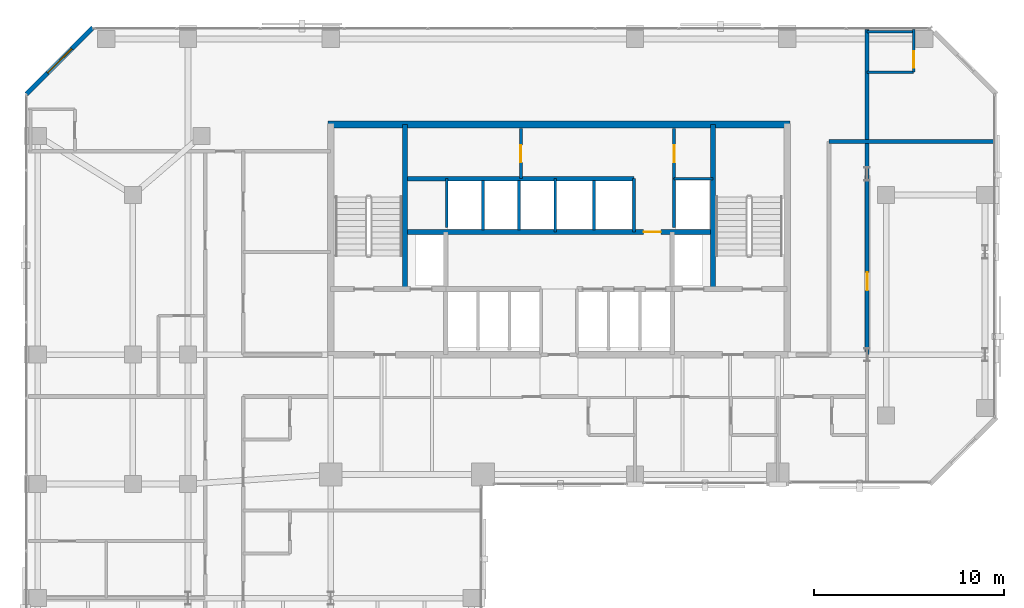
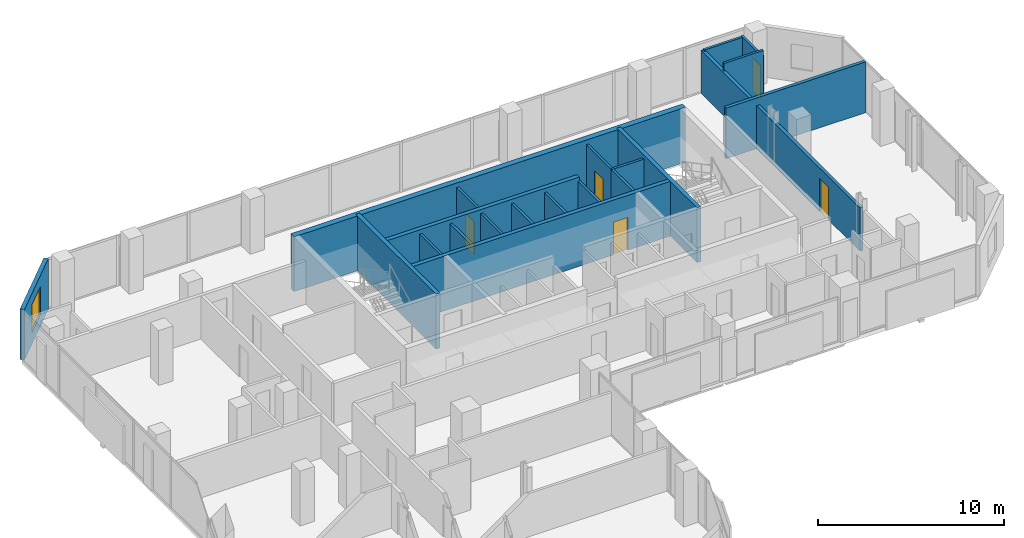
# One storey, part 30 of 35: 21 walls, 5 doors, 1 window, 6 openings.
"""IFC4 building model written with IfcOpenShell, lengths in metres."""

from ifc_helpers import new_model, si_unit, direction, frame, frame_2d, origin, place, context, subcontext, project, spatial, rectangle, extrude, material, layer, layer_set, type_object, element, fill, save


model = new_model("IFC4")

# Units and contexts
model_context = context("Model", 3, precision=1e-05, world=origin(), true_north=direction((0.0, 1.0)))
body_context = subcontext(model_context, "Body", "Model", "MODEL_VIEW")
ifc_project = project(units=[si_unit("LENGTHUNIT", "METRE"), si_unit("AREAUNIT", "SQUARE_METRE"), si_unit("VOLUMEUNIT", "CUBIC_METRE"), si_unit("PLANEANGLEUNIT", "RADIAN"), si_unit("MASSUNIT", "GRAM", prefix="KILO")], contexts=[model_context])

# Site, building, storey
site_placement = place(None, origin())
site = spatial("IfcSite", under=ifc_project, at=site_placement, CompositionType="ELEMENT")
building_placement = place(site_placement, origin())
building = spatial("IfcBuilding", under=site, at=building_placement, Name="Catumbela Crestline Tower", CompositionType="ELEMENT")
storey_placement = place(building_placement, frame((0.0, 0.0, 90.0)))
storey = spatial("IfcBuildingStorey", under=building, at=storey_placement, Name="L22", CompositionType="ELEMENT", Elevation=90.0)

# Walls
ifc_material_1 = material(Name="Concrete C50/60", Category="concrete")
ifc_layer_1 = layer(ifc_material_1, 0.25, Name="Concrete C50/60")
ifc_layer_set_1 = layer_set([ifc_layer_1], Name="Concrete C50/60")
wall_type_1 = type_object("IfcWallType", Name="CW-250D", PredefinedType="SHEAR", material=ifc_layer_set_1)
for number, where, z_axis, x_axis, name in (
    (1, (19.9, 34.25, 0.0), (0.0, 0.0, 1.0), (0.0, 1.0, 0.0), "L22 Structural Core Shear Wall WWEB"),
    (2, (36.1, 34.25, 0.0), (0.0, 0.0, 1.0), (0.0, 1.0, 0.0), "L22 Structural Core Shear Wall EWEB"),
):
    element("IfcWall", number, at=place(storey_placement, frame(where, z_axis=z_axis, x_axis=x_axis)), inside=storey, type_object=wall_type_1, Name=name, PredefinedType="SHEAR", context=body_context, shape_type="SweptSolid", body=[
        extrude(rectangle(XDim=8.65, YDim=0.25, at=frame_2d((4.325, 0.0))), origin(), (0.0, 0.0, 1.0), 3.6),
    ])

# Wall, opening, door
wall_1_placement = place(storey_placement, frame((19.9, 37.25, 0.0), z_axis=(0.0, 0.0, 1.0), x_axis=(1.0, 0.0, 0.0)))
wall_1 = element("IfcWall", 3, at=wall_1_placement, inside=storey, type_object=wall_type_1, Name="L22 Structural Core Shear Wall LIFTN", PredefinedType="SHEAR", context=body_context, shape_type="SweptSolid", body=[
    extrude(rectangle(XDim=16.2, YDim=0.25, at=frame_2d((8.1, 0.0))), origin(), (0.0, 0.0, 1.0), 3.6),
])
opening_1_placement = place(wall_1_placement, frame((12.55, 0.0, 0.0)))
opening_1 = element("IfcOpeningElement", 4, at=opening_1_placement, cuts=wall_1, Name="Opening DF9-090", PredefinedType="OPENING", context=body_context, shape_type="SweptSolid", body=[
    extrude(rectangle(XDim=0.9, YDim=2.15, at=frame_2d((0.45, 1.075))), frame((0.0, 0.135, 0.0), z_axis=(0.0, -1.0, 0.0), x_axis=(1.0, 0.0, 0.0)), (0.0, 0.0, 1.0), 0.27),
])
ifc_material_2 = material(Name="Stainless steel EN 1.4401", Category="steel")
door_type_1 = type_object("IfcDoorType", Name="DF9-090", OperationType="NOTDEFINED", PredefinedType="DOOR", material=ifc_material_2)
door_1_placement = place(opening_1_placement, origin())
door_1 = element("IfcDoor", 5, at=door_1_placement, inside=storey, type_object=door_type_1, Name="L22 Interior Door DR-L22-CPAS1", OperationType="SINGLE_SWING_LEFT", OverallHeight=2.15, OverallWidth=0.9, PredefinedType="DOOR", context=body_context, shape_type="SweptSolid", body=[
    extrude(rectangle(XDim=0.9, YDim=2.15, at=frame_2d((0.45, 1.075))), frame((0.0, 0.025, 0.0), z_axis=(0.0, -1.0, 0.0), x_axis=(1.0, 0.0, 0.0)), (0.0, 0.0, 1.0), 0.05),
])
fill(opening_1, door_1)

# Walls
wall_2_placement = place(storey_placement, frame((19.9, 40.05, 0.0), z_axis=(0.0, 0.0, 1.0), x_axis=(1.0, 0.0, 0.0)))
element("IfcWall", 6, at=wall_2_placement, inside=storey, type_object=wall_type_1, Name="L22 Structural Core Shear Wall COREN", PredefinedType="SHEAR", context=body_context, shape_type="SweptSolid", body=[
    extrude(rectangle(XDim=12.05, YDim=0.25, at=frame_2d((6.025, 0.0))), origin(), (0.0, 0.0, 1.0), 3.6),
])
ifc_layer_2 = layer(ifc_material_1, 0.35, Name="Concrete C50/60")
ifc_layer_set_2 = layer_set([ifc_layer_2], Name="Concrete C50/60")
wall_type_2 = type_object("IfcWallType", Name="CW-350B", PredefinedType="SHEAR", material=ifc_layer_set_2)
wall_3_placement = place(storey_placement, frame((15.85, 42.9, 0.0), z_axis=(0.0, 0.0, 1.0), x_axis=(1.0, 0.0, 0.0)))
element("IfcWall", 7, at=wall_3_placement, inside=storey, type_object=wall_type_2, Name="L22 Structural Core Shear Wall N", PredefinedType="SHEAR", context=body_context, shape_type="SweptSolid", body=[
    extrude(rectangle(XDim=24.3, YDim=0.35, at=frame_2d((12.15, 0.0))), origin(), (0.0, 0.0, 1.0), 3.6),
])
ifc_material_3 = material(Name="Acoustic gypsum and mineral-wool partition")
ifc_layer_3 = layer(ifc_material_3, 0.2, Name="Acoustic gypsum and mineral-wool partition")
ifc_layer_set_3 = layer_set([ifc_layer_3], Name="Acoustic gypsum and mineral-wool partition")
wall_type_3 = type_object("IfcWallType", Name="WC-200", PredefinedType="PARTITIONING", material=ifc_layer_set_3)
wall_4_placement = place(storey_placement, frame((42.2, 42.0, 0.0), z_axis=(0.0, 0.0, 1.0), x_axis=(1.0, 0.0, 0.0)))
element("IfcWall", 8, at=wall_4_placement, inside=storey, type_object=wall_type_3, Name="L22 Interior Partition PW-L22-Z2CW-E3", PredefinedType="PARTITIONING", context=body_context, shape_type="SweptSolid", body=[
    extrude(rectangle(XDim=8.7, YDim=0.2, at=frame_2d((4.35, 0.0))), origin(), (0.0, 0.0, 1.0), 3.33),
])

# Wall, opening, door
wall_5_placement = place(storey_placement, frame((44.2, 30.8, 0.0), z_axis=(0.0, 0.0, 1.0), x_axis=(0.0, 1.0, 0.0)))
wall_5 = element("IfcWall", 9, at=wall_5_placement, inside=storey, type_object=wall_type_3, Name="L22 Interior Partition PW-L22-SE1-ENT", PredefinedType="PARTITIONING", context=body_context, shape_type="SweptSolid", body=[
    extrude(rectangle(XDim=17.1, YDim=0.2, at=frame_2d((8.55, 0.0))), origin(), (0.0, 0.0, 1.0), 2.83),
])
opening_2_placement = place(wall_5_placement, frame((3.3825, 0.0, 0.0)))
opening_2 = element("IfcOpeningElement", 10, at=opening_2_placement, cuts=wall_5, Name="Opening DF6-095", PredefinedType="OPENING", context=body_context, shape_type="SweptSolid", body=[
    extrude(rectangle(XDim=0.95, YDim=2.15, at=frame_2d((0.475, 1.075))), frame((0.0, 0.11, 0.0), z_axis=(0.0, -1.0, 0.0), x_axis=(1.0, 0.0, 0.0)), (0.0, 0.0, 1.0), 0.22),
])
ifc_material_4 = material(Name="Aluminium alloy AW-6060-T66", Category="aluminium")
door_type_2 = type_object("IfcDoorType", Name="DF6-095", OperationType="NOTDEFINED", PredefinedType="DOOR", material=ifc_material_4)
door_2_placement = place(opening_2_placement, origin())
door_2 = element("IfcDoor", 11, at=door_2_placement, inside=storey, type_object=door_type_2, Name="L22 Interior Door DR-L22-SE1-ENT", OperationType="SINGLE_SWING_RIGHT", OverallHeight=2.15, OverallWidth=0.95, PredefinedType="DOOR", context=body_context, shape_type="SweptSolid", body=[
    extrude(rectangle(XDim=0.95, YDim=2.15, at=frame_2d((0.475, 1.075))), frame((0.0, 0.025, 0.0), z_axis=(0.0, -1.0, 0.0), x_axis=(1.0, 0.0, 0.0)), (0.0, 0.0, 1.0), 0.05),
])
fill(opening_2, door_2)

# Wall, opening, window
ifc_material_5 = material(Name="Angolan grey-ochre granite", Category="masonry")
ifc_layer_4 = layer(ifc_material_5, 0.25, Name="Angolan grey-ochre granite")
ifc_layer_set_4 = layer_set([ifc_layer_4], Name="Angolan grey-ochre granite")
wall_type_4 = type_object("IfcWallType", Name="WE-250", PredefinedType="STANDARD", material=ifc_layer_set_4)
wall_6_placement = place(storey_placement, frame((3.5, 48.0, 0.0), z_axis=(0.0, 0.0, 1.0), x_axis=(-0.707106781187, -0.707106781187, 0.0)))
wall_6 = element("IfcWall", 12, at=wall_6_placement, inside=storey, type_object=wall_type_4, Name="L22 Granite Punched Window Wall 8-1", PredefinedType="STANDARD", context=body_context, shape_type="SweptSolid", body=[
    extrude(rectangle(XDim=4.9497, YDim=0.25, at=frame_2d((2.4748, 0.0))), origin(), (0.0, 0.0, 1.0), 3.33),
])
opening_3_placement = place(wall_6_placement, frame((1.5749, 0.0, 0.75)))
opening_3 = element("IfcOpeningElement", 13, at=opening_3_placement, cuts=wall_6, Name="Opening WN-01", PredefinedType="OPENING", context=body_context, shape_type="SweptSolid", body=[
    extrude(rectangle(XDim=1.8, YDim=1.85, at=frame_2d((0.9, 0.925))), frame((0.0, 0.135, 0.0), z_axis=(0.0, -1.0, 0.0), x_axis=(1.0, 0.0, 0.0)), (0.0, 0.0, 1.0), 0.27),
])
ifc_material_6 = material(Name="Low-E laminated solar-control double glazing", Category="glass")
window_type = type_object("IfcWindowType", Name="WF-1800", PartitioningType="SINGLE_PANEL", PredefinedType="WINDOW", material=ifc_material_6)
window_placement = place(opening_3_placement, origin())
window = element("IfcWindow", 14, at=window_placement, inside=storey, type_object=window_type, Name="L22 Facade Vision Window 133", OverallHeight=1.85, OverallWidth=1.8, PartitioningType="SINGLE_PANEL", PredefinedType="WINDOW", context=body_context, shape_type="SweptSolid", body=[
    extrude(rectangle(XDim=1.8, YDim=1.85, at=frame_2d((0.9, 0.925))), frame((0.0, 0.03, 0.0), z_axis=(0.0, -1.0, 0.0), x_axis=(1.0, 0.0, 0.0)), (0.0, 0.0, 1.0), 0.06),
])
fill(opening_3, window)

# Wall
ifc_layer_5 = layer(ifc_material_3, 0.15, Name="Acoustic gypsum and mineral-wool partition")
ifc_layer_set_5 = layer_set([ifc_layer_5], Name="Acoustic gypsum and mineral-wool partition")
wall_type_5 = type_object("IfcWallType", Name="WP-150", PredefinedType="PARTITIONING", material=ifc_layer_set_5)
wall_7_placement = place(storey_placement, frame((34.05, 40.05, 0.0), z_axis=(0.0, 0.0, 1.0), x_axis=(1.0, 0.0, 0.0)))
element("IfcWall", 15, at=wall_7_placement, inside=storey, type_object=wall_type_5, Name="L22 Interior Partition PW-L22-CR-ES", PredefinedType="PARTITIONING", context=body_context, shape_type="SweptSolid", body=[
    extrude(rectangle(XDim=2.05, YDim=0.15, at=frame_2d((1.025, 0.0))), origin(), (0.0, 0.0, 1.0), 3.33),
])

# Wall, opening, door
wall_8_placement = place(storey_placement, frame((34.05, 40.05, 0.0), z_axis=(0.0, 0.0, 1.0), x_axis=(0.0, 1.0, 0.0)))
wall_8 = element("IfcWall", 16, at=wall_8_placement, inside=storey, type_object=wall_type_5, Name="L22 Interior Partition PW-L22-CR-EW", PredefinedType="PARTITIONING", context=body_context, shape_type="SweptSolid", body=[
    extrude(rectangle(XDim=2.63, YDim=0.15, at=frame_2d((1.315, 0.0))), origin(), (0.0, 0.0, 1.0), 3.33),
])
opening_4_placement = place(wall_8_placement, frame((0.865, 0.0, 0.0)))
opening_4 = element("IfcOpeningElement", 17, at=opening_4_placement, cuts=wall_8, Name="Opening DF9-090", PredefinedType="OPENING", context=body_context, shape_type="SweptSolid", body=[
    extrude(rectangle(XDim=0.9, YDim=2.15, at=frame_2d((0.45, 1.075))), frame((0.0, 0.085, 0.0), z_axis=(0.0, -1.0, 0.0), x_axis=(1.0, 0.0, 0.0)), (0.0, 0.0, 1.0), 0.17),
])
door_3_placement = place(opening_4_placement, origin())
door_3 = element("IfcDoor", 18, at=door_3_placement, inside=storey, type_object=door_type_1, Name="L22 Interior Door DR-L22-CREAST", OperationType="SINGLE_SWING_RIGHT", OverallHeight=2.15, OverallWidth=0.9, PredefinedType="DOOR", context=body_context, shape_type="SweptSolid", body=[
    extrude(rectangle(XDim=0.9, YDim=2.15, at=frame_2d((0.45, 1.075))), frame((0.0, 0.025, 0.0), z_axis=(0.0, -1.0, 0.0), x_axis=(1.0, 0.0, 0.0)), (0.0, 0.0, 1.0), 0.05),
])
fill(opening_4, door_3)

wall_9_placement = place(storey_placement, frame((26.0, 40.05, 0.0), z_axis=(0.0, 0.0, 1.0), x_axis=(0.0, 1.0, 0.0)))
wall_9 = element("IfcWall", 19, at=wall_9_placement, inside=storey, type_object=wall_type_5, Name="L22 Interior Partition PW-L22-CR-WW", PredefinedType="PARTITIONING", context=body_context, shape_type="SweptSolid", body=[
    extrude(rectangle(XDim=2.63, YDim=0.15, at=frame_2d((1.315, 0.0))), origin(), (0.0, 0.0, 1.0), 3.33),
])
opening_5_placement = place(wall_9_placement, frame((0.865, 0.0, 0.0)))
opening_5 = element("IfcOpeningElement", 20, at=opening_5_placement, cuts=wall_9, Name="Opening DF9-090", PredefinedType="OPENING", context=body_context, shape_type="SweptSolid", body=[
    extrude(rectangle(XDim=0.9, YDim=2.15, at=frame_2d((0.45, 1.075))), frame((0.0, 0.085, 0.0), z_axis=(0.0, -1.0, 0.0), x_axis=(1.0, 0.0, 0.0)), (0.0, 0.0, 1.0), 0.17),
])
door_4_placement = place(opening_5_placement, origin())
door_4 = element("IfcDoor", 21, at=door_4_placement, inside=storey, type_object=door_type_1, Name="L22 Interior Door DR-L22-CRWEST", OperationType="SINGLE_SWING_LEFT", OverallHeight=2.15, OverallWidth=0.9, PredefinedType="DOOR", context=body_context, shape_type="SweptSolid", body=[
    extrude(rectangle(XDim=0.9, YDim=2.15, at=frame_2d((0.45, 1.075))), frame((0.0, 0.025, 0.0), z_axis=(0.0, -1.0, 0.0), x_axis=(1.0, 0.0, 0.0)), (0.0, 0.0, 1.0), 0.05),
])
fill(opening_5, door_4)

# Wall
wall_10_placement = place(storey_placement, frame((44.2, 45.65, 0.0), z_axis=(0.0, 0.0, 1.0), x_axis=(1.0, 0.0, 0.0)))
element("IfcWall", 22, at=wall_10_placement, inside=storey, type_object=wall_type_5, Name="L22 Interior Partition PW-L22-SE1-BSW", PredefinedType="PARTITIONING", context=body_context, shape_type="SweptSolid", body=[
    extrude(rectangle(XDim=2.45, YDim=0.15, at=frame_2d((1.225, 0.0))), origin(), (0.0, 0.0, 1.0), 3.33),
])

# Wall, opening, door
wall_11_placement = place(storey_placement, frame((46.65, 45.65, 0.0), z_axis=(0.0, 0.0, 1.0), x_axis=(0.0, 1.0, 0.0)))
wall_11 = element("IfcWall", 23, at=wall_11_placement, inside=storey, type_object=wall_type_5, Name="L22 Interior Partition PW-L22-SE1-BEW", PredefinedType="PARTITIONING", context=body_context, shape_type="SweptSolid", body=[
    extrude(rectangle(XDim=2.25, YDim=0.15, at=frame_2d((1.125, 0.0))), origin(), (0.0, 0.0, 1.0), 2.92),
])
opening_6_placement = place(wall_11_placement, frame((0.24, 0.0, 0.0)))
opening_6 = element("IfcOpeningElement", 24, at=opening_6_placement, cuts=wall_11, Name="Opening DI-085", PredefinedType="OPENING", context=body_context, shape_type="SweptSolid", body=[
    extrude(rectangle(XDim=0.85, YDim=2.15, at=frame_2d((0.425, 1.075))), frame((0.0, 0.085, 0.0), z_axis=(0.0, -1.0, 0.0), x_axis=(1.0, 0.0, 0.0)), (0.0, 0.0, 1.0), 0.17),
])
door_type_3 = type_object("IfcDoorType", Name="DI-085", OperationType="NOTDEFINED", PredefinedType="DOOR", material=ifc_material_4)
door_5_placement = place(opening_6_placement, origin())
door_5 = element("IfcDoor", 25, at=door_5_placement, inside=storey, type_object=door_type_3, Name="L22 Interior Door DR-L22-SE1-BTH", OperationType="SINGLE_SWING_LEFT", OverallHeight=2.15, OverallWidth=0.85, PredefinedType="DOOR", context=body_context, shape_type="SweptSolid", body=[
    extrude(rectangle(XDim=0.85, YDim=2.15, at=frame_2d((0.425, 1.075))), frame((0.0, 0.025, 0.0), z_axis=(0.0, -1.0, 0.0), x_axis=(1.0, 0.0, 0.0)), (0.0, 0.0, 1.0), 0.05),
])
fill(opening_6, door_5)

# Walls
wall_12_placement = place(storey_placement, frame((44.2, 47.78, 0.0), z_axis=(0.0, 0.0, 1.0), x_axis=(1.0, 0.0, 0.0)))
element("IfcWall", 26, at=wall_12_placement, inside=storey, type_object=wall_type_5, Name="L22 Interior Partition PW-L22-SE1-BCL-2", PredefinedType="PARTITIONING", context=body_context, shape_type="SweptSolid", body=[
    extrude(rectangle(XDim=2.45, YDim=0.15, at=frame_2d((1.225, 0.0))), origin(), (0.0, 0.0, 1.0), 2.92),
])
ifc_layer_6 = layer(ifc_material_3, 0.15, Name="Acoustic gypsum and mineral-wool partition")
ifc_layer_set_6 = layer_set([ifc_layer_6], Name="Acoustic gypsum and mineral-wool partition")
wall_type_6 = type_object("IfcWallType", Name="WS-150", PredefinedType="PLUMBINGWALL", material=ifc_layer_set_6)
wall_13_placement = place(storey_placement, frame((22.1, 37.4897, 0.0), z_axis=(0.0, 0.0, 1.0), x_axis=(0.0, 1.0, 0.0)))
element("IfcWall", 27, at=wall_13_placement, inside=storey, type_object=wall_type_6, Name="L22 Interior Partition PW-L22-SHH0", PredefinedType="PLUMBINGWALL", context=body_context, shape_type="SweptSolid", body=[
    extrude(rectangle(XDim=2.5603, YDim=0.15, at=frame_2d((1.2801, 0.0))), origin(), (0.0, 0.0, 1.0), 3.33),
])
wall_14_placement = place(storey_placement, frame((27.8, 37.25, 0.0), z_axis=(0.0, 0.0, 1.0), x_axis=(0.0, 1.0, 0.0)))
element("IfcWall", 28, at=wall_14_placement, inside=storey, type_object=wall_type_6, Name="L22 Interior Partition PW-L22-SHH3", PredefinedType="PLUMBINGWALL", context=body_context, shape_type="SweptSolid", body=[
    extrude(rectangle(XDim=2.8, YDim=0.15, at=frame_2d((1.4, 0.0))), origin(), (0.0, 0.0, 1.0), 3.33),
])
for number, where, z_axis, x_axis, name in (
    (29, (24.0, 37.35, 0.0), (0.0, 0.0, 1.0), (0.0, 1.0, 0.0), "L22 Interior Partition PW-L22-SHH1"),
    (30, (25.9, 37.35, 0.0), (0.0, 0.0, 1.0), (0.0, 1.0, 0.0), "L22 Interior Partition PW-L22-SHH2"),
):
    element("IfcWall", number, at=place(storey_placement, frame(where, z_axis=z_axis, x_axis=x_axis)), inside=storey, type_object=wall_type_6, Name=name, PredefinedType="PLUMBINGWALL", context=body_context, shape_type="SweptSolid", body=[
        extrude(rectangle(XDim=2.6, YDim=0.15, at=frame_2d((1.3, 0.0))), origin(), (0.0, 0.0, 1.0), 3.33),
    ])
wall_15_placement = place(storey_placement, frame((31.95, 37.25, 0.0), z_axis=(0.0, 0.0, 1.0), x_axis=(0.0, 1.0, 0.0)))
element("IfcWall", 31, at=wall_15_placement, inside=storey, type_object=wall_type_6, Name="L22 Interior Partition PW-L22-SHEX2E", PredefinedType="PLUMBINGWALL", context=body_context, shape_type="SweptSolid", body=[
    extrude(rectangle(XDim=2.8, YDim=0.15, at=frame_2d((1.4, 0.0))), origin(), (0.0, 0.0, 1.0), 3.33),
])
wall_16_placement = place(storey_placement, frame((29.85, 37.35, 0.0), z_axis=(0.0, 0.0, 1.0), x_axis=(0.0, 1.0, 0.0)))
element("IfcWall", 32, at=wall_16_placement, inside=storey, type_object=wall_type_6, Name="L22 Interior Partition PW-L22-SHEX1", PredefinedType="PLUMBINGWALL", context=body_context, shape_type="SweptSolid", body=[
    extrude(rectangle(XDim=2.6, YDim=0.15, at=frame_2d((1.3, 0.0))), origin(), (0.0, 0.0, 1.0), 3.33),
])
wall_17_placement = place(storey_placement, frame((34.05, 37.4734, 0.0), z_axis=(0.0, 0.0, 1.0), x_axis=(0.0, 1.0, 0.0)))
element("IfcWall", 33, at=wall_17_placement, inside=storey, type_object=wall_type_6, Name="L22 Interior Partition PW-L22-RISW", PredefinedType="PLUMBINGWALL", context=body_context, shape_type="SweptSolid", body=[
    extrude(rectangle(XDim=2.5766, YDim=0.15, at=frame_2d((1.2883, 0.0))), origin(), (0.0, 0.0, 1.0), 3.33),
])

save(model, "model.ifc")
